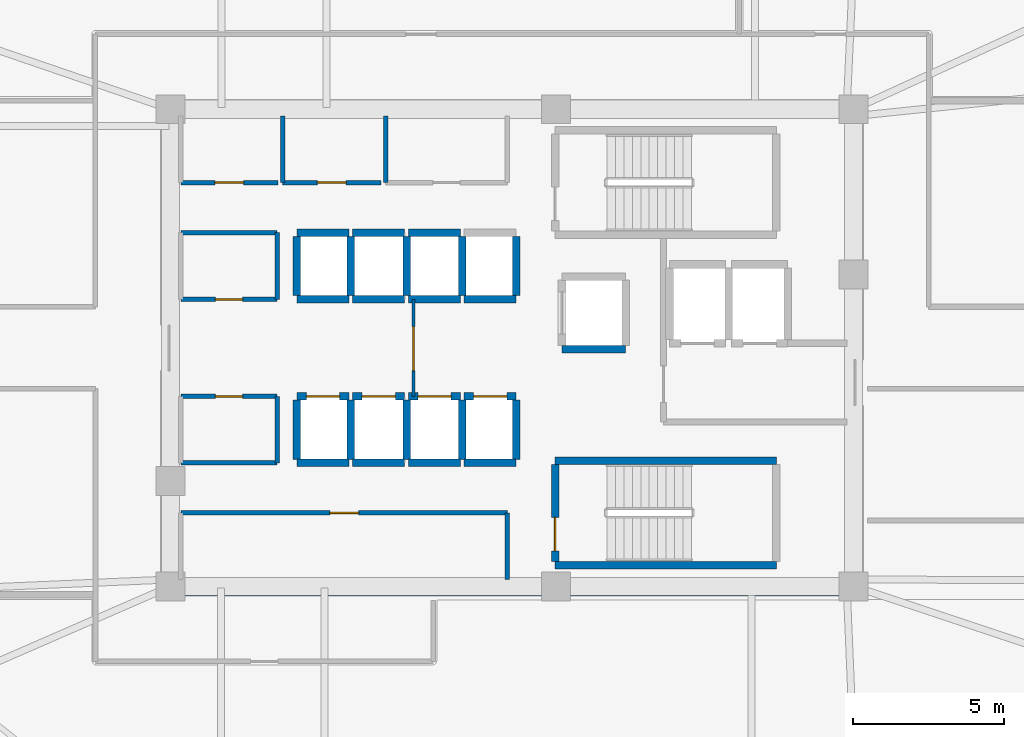
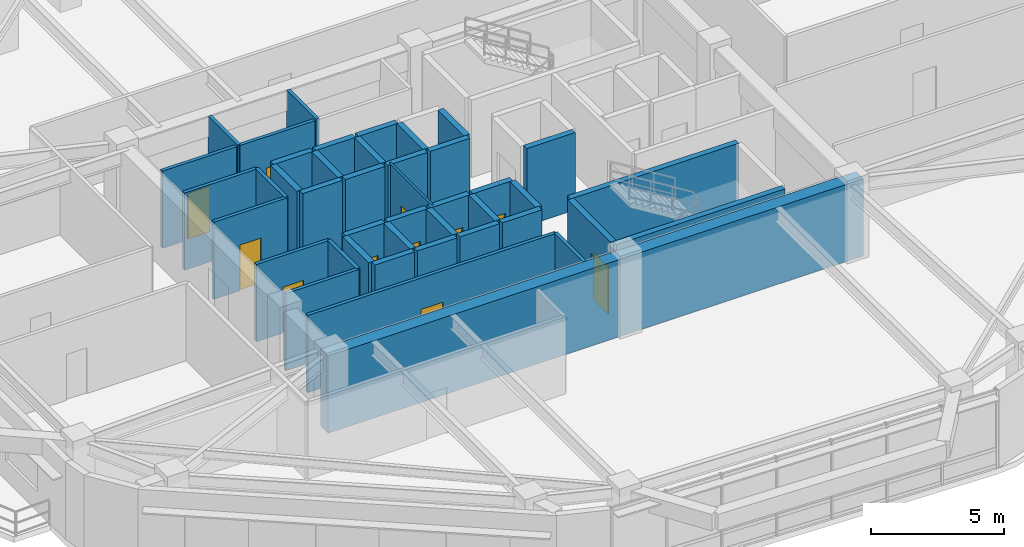
# One storey, part 8 of 12: 43 walls, 11 doors, 11 openings.
"""IFC4 building model written with IfcOpenShell, lengths in metres."""

from ifc_helpers import new_model, si_unit, direction, frame, frame_2d, origin, place, context, subcontext, project, spatial, rectangle, extrude, material, layer, layer_set, type_object, element, fill, save


model = new_model("IFC4")

# Units and contexts
model_context = context("Model", 3, precision=1e-05, world=origin(), true_north=direction((0.0, 1.0)))
body_context = subcontext(model_context, "Body", "Model", "MODEL_VIEW")
ifc_project = project(units=[si_unit("LENGTHUNIT", "METRE"), si_unit("AREAUNIT", "SQUARE_METRE"), si_unit("VOLUMEUNIT", "CUBIC_METRE"), si_unit("PLANEANGLEUNIT", "RADIAN"), si_unit("MASSUNIT", "GRAM", prefix="KILO")], contexts=[model_context])

# Site, building, storey
site_placement = place(None, origin())
site = spatial("IfcSite", under=ifc_project, at=site_placement, CompositionType="ELEMENT")
building_placement = place(site_placement, origin())
building = spatial("IfcBuilding", under=site, at=building_placement, Name="Zulverin Broadcast Headquarters", CompositionType="ELEMENT")
storey_placement = place(building_placement, frame((0.0, 0.0, 185.800048828125)))
storey = spatial("IfcBuildingStorey", under=building, at=storey_placement, Name="L47", CompositionType="ELEMENT", Elevation=185.800048828125)

# Wall
ifc_material_1 = material(Name="Concrete C60/75", Category="concrete")
ifc_layer_1 = layer(ifc_material_1, 0.550048828125, Name="Concrete C60/75", Category="concrete")
ifc_layer_set_1 = layer_set([ifc_layer_1], Name="Concrete C60/75")
wall_type_1 = type_object("IfcWallType", Name="WL-CORE-550", PredefinedType="SHEAR", material=ifc_layer_set_1)
wall_1_placement = place(storey_placement, frame((25.39990234375, 17.27490234375, 0.0), z_axis=(0.0, 0.0, 1.0), x_axis=(1.0, 0.0, 0.0)))
element("IfcWall", 1, at=wall_1_placement, inside=storey, type_object=wall_type_1, Name="L47 Core South Shear Wall", PredefinedType="SHEAR", context=body_context, shape_type="SweptSolid", body=[
    extrude(rectangle(XDim=23.2001953125, YDim=0.550048828125, at=frame_2d((11.60009765625, 0.0))), origin(), (0.0, 0.0, 1.0), 3.5400390625),
])

# Wall, opening, door
ifc_material_2 = material(Name="Fire-rated acoustic laminated glass screen", Category="glass")
ifc_layer_2 = layer(ifc_material_2, 0.10009765625, Name="Fire-rated acoustic laminated glass screen", Category="glass")
ifc_layer_set_2 = layer_set([ifc_layer_2], Name="Fire-rated acoustic laminated glass screen")
wall_type_2 = type_object("IfcWallType", Name="WL-GLAZ-100", PredefinedType="PARTITIONING", material=ifc_layer_set_2)
wall_2_placement = place(storey_placement, frame((33.75, 23.60009765625, 0.0), z_axis=(0.0, 0.0, 1.0), x_axis=(0.0, 1.0, 0.0)))
wall_2 = element("IfcWall", 2, at=wall_2_placement, inside=storey, type_object=wall_type_2, Name="L47 Core Lobby Acoustic Screen", PredefinedType="PARTITIONING", context=body_context, shape_type="SweptSolid", body=[
    extrude(rectangle(XDim=3.199951171875, YDim=0.10009765625, at=frame_2d((1.60009765625, 0.0))), origin(), (0.0, 0.0, 1.0), 3.5400390625),
])
opening_1_placement = place(wall_2_placement, frame((0.85009765625, 0.0, 0.0)))
opening_1 = element("IfcOpeningElement", 3, at=opening_1_placement, cuts=wall_2, Name="Opening D-L47-CL1", PredefinedType="OPENING", context=body_context, shape_type="SweptSolid", body=[
    extrude(rectangle(XDim=1.449951171875, YDim=2.1201171875, at=frame_2d((0.72509765625, 1.06005859375))), frame((0.0, 0.06005859375, 0.0), z_axis=(0.0, -1.0, 0.0), x_axis=(1.0, 0.0, 0.0)), (0.0, 0.0, 1.0), 0.1201171875),
])
ifc_material_3 = material(Name="Fire-rated acoustic glazed double leaf", Category="glass")
door_type_1 = type_object("IfcDoorType", Name="DR-GLZ-1450", OperationType="DOUBLE_DOOR_SINGLE_SWING", PredefinedType="DOOR", material=ifc_material_3)
door_1_placement = place(opening_1_placement, origin())
door_1 = element("IfcDoor", 4, at=door_1_placement, inside=storey, type_object=door_type_1, Name="L47 Core Lobby Vestibule Door", OperationType="DOUBLE_DOOR_SINGLE_SWING", OverallHeight=2.1201171875, OverallWidth=1.449951171875, PredefinedType="DOOR", context=body_context, shape_type="SweptSolid", body=[
    extrude(rectangle(XDim=1.449951171875, YDim=2.1201171875, at=frame_2d((0.72509765625, 1.06005859375))), frame((0.0, 0.02490234375, 0.0), z_axis=(0.0, -1.0, 0.0), x_axis=(1.0, 0.0, 0.0)), (0.0, 0.0, 1.0), 0.050048828125),
])
fill(opening_1, door_1)

ifc_material_4 = material(Name="Fire-rated gypsum stud partition", Category="gypsum")
ifc_layer_3 = layer(ifc_material_4, 0.14990234375, Name="Fire-rated gypsum stud partition", Category="gypsum")
ifc_layer_set_3 = layer_set([ifc_layer_3], Name="Fire-rated gypsum stud partition")
wall_type_3 = type_object("IfcWallType", Name="WL-PART-150", PredefinedType="PARTITIONING", material=ifc_layer_set_3)
wall_3_placement = place(storey_placement, frame((26.070068359375, 30.64990234375, 0.0), z_axis=(0.0, 0.0, 1.0), x_axis=(1.0, 0.0, 0.0)))
wall_3 = element("IfcWall", 5, at=wall_3_placement, inside=storey, type_object=wall_type_3, Name="L47 Core Accessible WC Front Wall", PredefinedType="PARTITIONING", context=body_context, shape_type="SweptSolid", body=[
    extrude(rectangle(XDim=3.199951171875, YDim=0.14990234375, at=frame_2d((1.60009765625, 0.0))), origin(), (0.0, 0.0, 1.0), 3.5400390625),
])
opening_2_placement = place(wall_3_placement, frame((1.125, 0.0, 0.0)))
opening_2 = element("IfcOpeningElement", 6, at=opening_2_placement, cuts=wall_3, Name="Opening D-L47-NC1", PredefinedType="OPENING", context=body_context, shape_type="SweptSolid", body=[
    extrude(rectangle(XDim=0.949951171875, YDim=2.10009765625, at=frame_2d((0.47509765625, 1.050048828125))), frame((0.0, 0.0849609375, 0.0), z_axis=(0.0, -1.0, 0.0), x_axis=(1.0, 0.0, 0.0)), (0.0, 0.0, 1.0), 0.169921875),
])
ifc_material_5 = material(Name="Fire-rated moisture-resistant laminate leaf", Category="wood")
door_type_2 = type_object("IfcDoorType", Name="DR-WC-950", OperationType="SINGLE_SWING_LEFT", PredefinedType="DOOR", material=ifc_material_5)
door_2_placement = place(opening_2_placement, origin())
door_2 = element("IfcDoor", 7, at=door_2_placement, inside=storey, type_object=door_type_2, Name="L47 Accessible WC Door", OperationType="SINGLE_SWING_LEFT", OverallHeight=2.10009765625, OverallWidth=0.949951171875, PredefinedType="DOOR", context=body_context, shape_type="SweptSolid", body=[
    extrude(rectangle(XDim=0.949951171875, YDim=2.10009765625, at=frame_2d((0.47509765625, 1.050048828125))), frame((0.0, 0.02490234375, 0.0), z_axis=(0.0, -1.0, 0.0), x_axis=(1.0, 0.0, 0.0)), (0.0, 0.0, 1.0), 0.050048828125),
])
fill(opening_2, door_2)

wall_4_placement = place(storey_placement, frame((29.429931640625, 30.64990234375, 0.0), z_axis=(0.0, 0.0, 1.0), x_axis=(1.0, 0.0, 0.0)))
wall_4 = element("IfcWall", 8, at=wall_4_placement, inside=storey, type_object=wall_type_3, Name="L47 Core Male WC Front Wall", PredefinedType="PARTITIONING", context=body_context, shape_type="SweptSolid", body=[
    extrude(rectangle(XDim=3.239990234375, YDim=0.14990234375, at=frame_2d((1.6201171875, 0.0))), origin(), (0.0, 0.0, 1.0), 3.5400390625),
])
opening_3_placement = place(wall_4_placement, frame((1.14501953125, 0.0, 0.0)))
opening_3 = element("IfcOpeningElement", 9, at=opening_3_placement, cuts=wall_4, Name="Opening D-L47-NC2", PredefinedType="OPENING", context=body_context, shape_type="SweptSolid", body=[
    extrude(rectangle(XDim=0.949951171875, YDim=2.10009765625, at=frame_2d((0.47509765625, 1.050048828125))), frame((0.0, 0.0849609375, 0.0), z_axis=(0.0, -1.0, 0.0), x_axis=(1.0, 0.0, 0.0)), (0.0, 0.0, 1.0), 0.169921875),
])
door_3_placement = place(opening_3_placement, origin())
door_3 = element("IfcDoor", 10, at=door_3_placement, inside=storey, type_object=door_type_2, Name="L47 Male WC Door", OperationType="SINGLE_SWING_RIGHT", OverallHeight=2.10009765625, OverallWidth=0.949951171875, PredefinedType="DOOR", context=body_context, shape_type="SweptSolid", body=[
    extrude(rectangle(XDim=0.949951171875, YDim=2.10009765625, at=frame_2d((0.47509765625, 1.050048828125))), frame((0.0, 0.02490234375, 0.0), z_axis=(0.0, -1.0, 0.0), x_axis=(1.0, 0.0, 0.0)), (0.0, 0.0, 1.0), 0.050048828125),
])
fill(opening_3, door_3)

# Walls
for number, where, z_axis, x_axis, name in (
    (11, (29.429931640625, 30.64990234375, 0.0), (0.0, 0.0, 1.0), (0.0, 1.0, 0.0), "L47 Core Male WC West Wall"),
    (12, (32.830078125, 30.64990234375, 0.0), (0.0, 0.0, 1.0), (0.0, 1.0, 0.0), "L47 Core Electrical Switch Riser West Wall"),
):
    element("IfcWall", number, at=place(storey_placement, frame(where, z_axis=z_axis, x_axis=x_axis)), inside=storey, type_object=wall_type_3, Name=name, PredefinedType="PARTITIONING", context=body_context, shape_type="SweptSolid", body=[
        extrude(rectangle(XDim=2.2001953125, YDim=0.14990234375, at=frame_2d((1.10009765625, 0.0))), origin(), (0.0, 0.0, 1.0), 3.5400390625),
    ])

# Wall, opening, door
wall_5_placement = place(storey_placement, frame((26.070068359375, 19.75, 0.0), z_axis=(0.0, 0.0, 1.0), x_axis=(1.0, 0.0, 0.0)))
wall_5 = element("IfcWall", 13, at=wall_5_placement, inside=storey, type_object=wall_type_3, Name="L47 Core Female WC & Facilities Room Front Wall", PredefinedType="PARTITIONING", context=body_context, shape_type="SweptSolid", body=[
    extrude(rectangle(XDim=10.780029296875, YDim=0.14990234375, at=frame_2d((5.39013671875, 0.0))), origin(), (0.0, 0.0, 1.0), 3.5400390625),
])
opening_4_placement = place(wall_5_placement, frame((4.9150390625, 0.0, 0.0)))
opening_4 = element("IfcOpeningElement", 14, at=opening_4_placement, cuts=wall_5, Name="Opening D-L47-SC1", PredefinedType="OPENING", context=body_context, shape_type="SweptSolid", body=[
    extrude(rectangle(XDim=0.949951171875, YDim=2.10009765625, at=frame_2d((0.47509765625, 1.050048828125))), frame((0.0, 0.0849609375, 0.0), z_axis=(0.0, -1.0, 0.0), x_axis=(1.0, 0.0, 0.0)), (0.0, 0.0, 1.0), 0.169921875),
])
door_4_placement = place(opening_4_placement, origin())
door_4 = element("IfcDoor", 15, at=door_4_placement, inside=storey, type_object=door_type_2, Name="L47 Female WC & Facilities Room Door", OperationType="SINGLE_SWING_RIGHT", OverallHeight=2.10009765625, OverallWidth=0.949951171875, PredefinedType="DOOR", context=body_context, shape_type="SweptSolid", body=[
    extrude(rectangle(XDim=0.949951171875, YDim=2.10009765625, at=frame_2d((0.47509765625, 1.050048828125))), frame((0.0, 0.02490234375, 0.0), z_axis=(0.0, -1.0, 0.0), x_axis=(1.0, 0.0, 0.0)), (0.0, 0.0, 1.0), 0.050048828125),
])
fill(opening_4, door_4)

# Wall
wall_6_placement = place(storey_placement, frame((36.85009765625, 17.550048828125, 0.0), z_axis=(0.0, 0.0, 1.0), x_axis=(0.0, 1.0, 0.0)))
element("IfcWall", 16, at=wall_6_placement, inside=storey, type_object=wall_type_3, Name="L47 Core Female WC & Facilities Room East Wall", PredefinedType="PARTITIONING", context=body_context, shape_type="SweptSolid", body=[
    extrude(rectangle(XDim=2.199951171875, YDim=0.14990234375, at=frame_2d((1.10009765625, 0.0))), origin(), (0.0, 0.0, 1.0), 3.5400390625),
])

# Wall, opening, door
wall_7_placement = place(storey_placement, frame((26.070068359375, 26.800048828125, 0.0), z_axis=(0.0, 0.0, 1.0), x_axis=(1.0, 0.0, 0.0)))
wall_7 = element("IfcWall", 17, at=wall_7_placement, inside=storey, type_object=wall_type_3, Name="L47 Core UPS Battery Store S Wall", PredefinedType="PARTITIONING", context=body_context, shape_type="SweptSolid", body=[
    extrude(rectangle(XDim=3.179931640625, YDim=0.14990234375, at=frame_2d((1.58984375, 0.0))), origin(), (0.0, 0.0, 1.0), 3.5400390625),
])
opening_5_placement = place(wall_7_placement, frame((1.139892578125, 0.0, 0.0)))
opening_5 = element("IfcOpeningElement", 18, at=opening_5_placement, cuts=wall_7, Name="Opening D-L47-RCLN", PredefinedType="OPENING", context=body_context, shape_type="SweptSolid", body=[
    extrude(rectangle(XDim=0.89990234375, YDim=2.10009765625, at=frame_2d((0.449951171875, 1.050048828125))), frame((0.0, 0.0849609375, 0.0), z_axis=(0.0, -1.0, 0.0), x_axis=(1.0, 0.0, 0.0)), (0.0, 0.0, 1.0), 0.169921875),
])
ifc_material_6 = material(Name="Powder-coated steel access leaf", Category="steel")
door_type_3 = type_object("IfcDoorType", Name="DR-RISER-900", OperationType="SINGLE_SWING_LEFT", PredefinedType="DOOR", material=ifc_material_6)
door_5_placement = place(opening_5_placement, origin())
door_5 = element("IfcDoor", 19, at=door_5_placement, inside=storey, type_object=door_type_3, Name="L47 Core UPS Battery Store Door", OperationType="SINGLE_SWING_LEFT", OverallHeight=2.10009765625, OverallWidth=0.89990234375, PredefinedType="DOOR", context=body_context, shape_type="SweptSolid", body=[
    extrude(rectangle(XDim=0.89990234375, YDim=2.10009765625, at=frame_2d((0.449951171875, 1.050048828125))), frame((0.0, 0.02490234375, 0.0), z_axis=(0.0, -1.0, 0.0), x_axis=(1.0, 0.0, 0.0)), (0.0, 0.0, 1.0), 0.050048828125),
])
fill(opening_5, door_5)

# Walls
wall_8_placement = place(storey_placement, frame((26.070068359375, 29.0, 0.0), z_axis=(0.0, 0.0, 1.0), x_axis=(1.0, 0.0, 0.0)))
element("IfcWall", 20, at=wall_8_placement, inside=storey, type_object=wall_type_3, Name="L47 Core UPS Battery Store N Wall", PredefinedType="PARTITIONING", context=body_context, shape_type="SweptSolid", body=[
    extrude(rectangle(XDim=3.179931640625, YDim=0.14990234375, at=frame_2d((1.58984375, 0.0))), origin(), (0.0, 0.0, 1.0), 3.5400390625),
])
wall_9_placement = place(storey_placement, frame((29.25, 26.800048828125, 0.0), z_axis=(0.0, 0.0, 1.0), x_axis=(0.0, 1.0, 0.0)))
element("IfcWall", 21, at=wall_9_placement, inside=storey, type_object=wall_type_3, Name="L47 Core UPS Battery Store E Wall", PredefinedType="PARTITIONING", context=body_context, shape_type="SweptSolid", body=[
    extrude(rectangle(XDim=2.199951171875, YDim=0.14990234375, at=frame_2d((1.10009765625, 0.0))), origin(), (0.0, 0.0, 1.0), 3.5400390625),
])
wall_10_placement = place(storey_placement, frame((26.070068359375, 21.39990234375, 0.0), z_axis=(0.0, 0.0, 1.0), x_axis=(1.0, 0.0, 0.0)))
element("IfcWall", 22, at=wall_10_placement, inside=storey, type_object=wall_type_3, Name="L47 Media Ingestion Server Room S Wall", PredefinedType="PARTITIONING", context=body_context, shape_type="SweptSolid", body=[
    extrude(rectangle(XDim=3.179931640625, YDim=0.14990234375, at=frame_2d((1.58984375, 0.0))), origin(), (0.0, 0.0, 1.0), 3.5400390625),
])

# Wall, opening, door
wall_11_placement = place(storey_placement, frame((26.070068359375, 23.60009765625, 0.0), z_axis=(0.0, 0.0, 1.0), x_axis=(1.0, 0.0, 0.0)))
wall_11 = element("IfcWall", 23, at=wall_11_placement, inside=storey, type_object=wall_type_3, Name="L47 Media Ingestion Server Room N Wall", PredefinedType="PARTITIONING", context=body_context, shape_type="SweptSolid", body=[
    extrude(rectangle(XDim=3.179931640625, YDim=0.14990234375, at=frame_2d((1.58984375, 0.0))), origin(), (0.0, 0.0, 1.0), 3.5400390625),
])
opening_6_placement = place(wall_11_placement, frame((1.139892578125, 0.0, 0.0)))
opening_6 = element("IfcOpeningElement", 24, at=opening_6_placement, cuts=wall_11, Name="Opening D-L47-RCLS", PredefinedType="OPENING", context=body_context, shape_type="SweptSolid", body=[
    extrude(rectangle(XDim=0.89990234375, YDim=2.10009765625, at=frame_2d((0.449951171875, 1.050048828125))), frame((0.0, 0.0849609375, 0.0), z_axis=(0.0, -1.0, 0.0), x_axis=(1.0, 0.0, 0.0)), (0.0, 0.0, 1.0), 0.169921875),
])
door_6_placement = place(opening_6_placement, origin())
door_6 = element("IfcDoor", 25, at=door_6_placement, inside=storey, type_object=door_type_3, Name="L47 Media Ingestion Server Room Door", OperationType="SINGLE_SWING_RIGHT", OverallHeight=2.10009765625, OverallWidth=0.89990234375, PredefinedType="DOOR", context=body_context, shape_type="SweptSolid", body=[
    extrude(rectangle(XDim=0.89990234375, YDim=2.10009765625, at=frame_2d((0.449951171875, 1.050048828125))), frame((0.0, 0.02490234375, 0.0), z_axis=(0.0, -1.0, 0.0), x_axis=(1.0, 0.0, 0.0)), (0.0, 0.0, 1.0), 0.050048828125),
])
fill(opening_6, door_6)

# Walls
wall_12_placement = place(storey_placement, frame((29.25, 21.39990234375, 0.0), z_axis=(0.0, 0.0, 1.0), x_axis=(0.0, 1.0, 0.0)))
element("IfcWall", 26, at=wall_12_placement, inside=storey, type_object=wall_type_3, Name="L47 Media Ingestion Server Room E Wall", PredefinedType="PARTITIONING", context=body_context, shape_type="SweptSolid", body=[
    extrude(rectangle(XDim=2.2001953125, YDim=0.14990234375, at=frame_2d((1.10009765625, 0.0))), origin(), (0.0, 0.0, 1.0), 3.5400390625),
])
ifc_material_7 = material(Name="Concrete C50/60", Category="concrete")
ifc_layer_4 = layer(ifc_material_7, 0.25, Name="Concrete C50/60", Category="concrete")
ifc_layer_set_4 = layer_set([ifc_layer_4], Name="Concrete C50/60")
wall_type_4 = type_object("IfcWallType", Name="WL-SHAFT-250", PredefinedType="SHEAR", material=ifc_layer_set_4)
for number, where, z_axis, x_axis, name in (
    (27, (38.425048828125, 18.02490234375, 0.0), (0.0, 0.0, 1.0), (1.0, 0.0, 0.0), "L47 ST-2 Enclosure Wall S"),
    (28, (38.425048828125, 21.47509765625, 0.0), (0.0, 0.0, 1.0), (1.0, 0.0, 0.0), "L47 ST-2 Enclosure Wall N"),
):
    element("IfcWall", number, at=place(storey_placement, frame(where, z_axis=z_axis, x_axis=x_axis)), inside=storey, type_object=wall_type_4, Name=name, PredefinedType="SHEAR", context=body_context, shape_type="SweptSolid", body=[
        extrude(rectangle(XDim=7.300048828125, YDim=0.25, at=frame_2d((3.64990234375, 0.0))), origin(), (0.0, 0.0, 1.0), 3.5400390625),
    ])

# Wall, opening, door
wall_13_placement = place(storey_placement, frame((38.425048828125, 18.14990234375, 0.0), z_axis=(0.0, 0.0, 1.0), x_axis=(0.0, 1.0, 0.0)))
wall_13 = element("IfcWall", 29, at=wall_13_placement, inside=storey, type_object=wall_type_4, Name="L47 ST-2 Enclosure Wall W", PredefinedType="SHEAR", context=body_context, shape_type="SweptSolid", body=[
    extrude(rectangle(XDim=3.2001953125, YDim=0.25, at=frame_2d((1.60009765625, 0.0))), origin(), (0.0, 0.0, 1.0), 3.5400390625),
])
opening_7_placement = place(wall_13_placement, frame((0.35009765625, 0.0, 0.0)))
opening_7 = element("IfcOpeningElement", 30, at=opening_7_placement, cuts=wall_13, Name="Opening D-L47-ST-2", PredefinedType="OPENING", context=body_context, shape_type="SweptSolid", body=[
    extrude(rectangle(XDim=1.10009765625, YDim=2.14990234375, at=frame_2d((0.550048828125, 1.074951171875))), frame((0.0, 0.135009765625, 0.0), z_axis=(0.0, -1.0, 0.0), x_axis=(1.0, 0.0, 0.0)), (0.0, 0.0, 1.0), 0.27001953125),
])
ifc_material_8 = material(Name="Fire-rated steel leaf and frame", Category="steel")
door_type_4 = type_object("IfcDoorType", Name="DR-STAIR-1100", OperationType="SINGLE_SWING_LEFT", PredefinedType="DOOR", material=ifc_material_8)
door_7_placement = place(opening_7_placement, origin())
door_7 = element("IfcDoor", 31, at=door_7_placement, inside=storey, type_object=door_type_4, Name="L47 Exit Stair ST-2 Fire Door", OperationType="SINGLE_SWING_RIGHT", OverallHeight=2.14990234375, OverallWidth=1.10009765625, PredefinedType="DOOR", context=body_context, shape_type="SweptSolid", body=[
    extrude(rectangle(XDim=1.10009765625, YDim=2.14990234375, at=frame_2d((0.550048828125, 1.074951171875))), frame((0.0, 0.02490234375, 0.0), z_axis=(0.0, -1.0, 0.0), x_axis=(1.0, 0.0, 0.0)), (0.0, 0.0, 1.0), 0.050048828125),
])
fill(opening_7, door_7)

# Wall
wall_14_placement = place(storey_placement, frame((29.89990234375, 21.39990234375, 0.0), z_axis=(0.0, 0.0, 1.0), x_axis=(1.0, 0.0, 0.0)))
element("IfcWall", 32, at=wall_14_placement, inside=storey, type_object=wall_type_4, Name="L47 Lift PL-M1 Shaft Wall S", PredefinedType="SHEAR", context=body_context, shape_type="SweptSolid", body=[
    extrude(rectangle(XDim=1.72021484375, YDim=0.25, at=frame_2d((0.860107421875, 0.0))), origin(), (0.0, 0.0, 1.0), 3.5400390625),
])

# Wall, opening, door
wall_15_placement = place(storey_placement, frame((29.89990234375, 23.60009765625, 0.0), z_axis=(0.0, 0.0, 1.0), x_axis=(1.0, 0.0, 0.0)))
wall_15 = element("IfcWall", 33, at=wall_15_placement, inside=storey, type_object=wall_type_4, Name="L47 Lift PL-M1 Shaft Wall N", PredefinedType="SHEAR", context=body_context, shape_type="SweptSolid", body=[
    extrude(rectangle(XDim=1.72021484375, YDim=0.25, at=frame_2d((0.860107421875, 0.0))), origin(), (0.0, 0.0, 1.0), 3.5400390625),
])
opening_8_placement = place(wall_15_placement, frame((0.31005859375, 0.0, 0.0)))
opening_8 = element("IfcOpeningElement", 34, at=opening_8_placement, cuts=wall_15, Name="Opening LD-PL-M1-L47", PredefinedType="OPENING", context=body_context, shape_type="SweptSolid", body=[
    extrude(rectangle(XDim=1.10009765625, YDim=2.14990234375, at=frame_2d((0.550048828125, 1.074951171875))), frame((0.0, 0.135009765625, 0.0), z_axis=(0.0, -1.0, 0.0), x_axis=(1.0, 0.0, 0.0)), (0.0, 0.0, 1.0), 0.27001953125),
])
ifc_material_9 = material(Name="Brushed stainless steel landing", Category="steel")
door_type_5 = type_object("IfcDoorType", Name="LD-PASS-1100", OperationType="DOUBLE_DOOR_SLIDING", PredefinedType="DOOR", material=ifc_material_9)
door_8_placement = place(opening_8_placement, origin())
door_8 = element("IfcDoor", 35, at=door_8_placement, inside=storey, type_object=door_type_5, Name="L47 Lift PL-M1 Sliding Landing Door", OperationType="DOUBLE_DOOR_SLIDING", OverallHeight=2.14990234375, OverallWidth=1.10009765625, PredefinedType="DOOR", context=body_context, shape_type="SweptSolid", body=[
    extrude(rectangle(XDim=1.10009765625, YDim=2.14990234375, at=frame_2d((0.550048828125, 1.074951171875))), frame((0.0, 0.02490234375, 0.0), z_axis=(0.0, -1.0, 0.0), x_axis=(1.0, 0.0, 0.0)), (0.0, 0.0, 1.0), 0.050048828125),
])
fill(opening_8, door_8)

# Walls
for number, where, z_axis, x_axis, name in (
    (36, (29.89990234375, 21.52001953125, 0.0), (0.0, 0.0, 1.0), (0.0, 1.0, 0.0), "L47 Lift PL-M1 Shaft Wall W"),
    (37, (31.679931640625, 21.52001953125, 0.0), (0.0, 0.0, 1.0), (0.0, 1.0, 0.0), "L47 Lift PL-M1 Shaft Wall E"),
):
    element("IfcWall", number, at=place(storey_placement, frame(where, z_axis=z_axis, x_axis=x_axis)), inside=storey, type_object=wall_type_4, Name=name, PredefinedType="SHEAR", context=body_context, shape_type="SweptSolid", body=[
        extrude(rectangle(XDim=1.9599609375, YDim=0.25, at=frame_2d((0.97998046875, 0.0))), origin(), (0.0, 0.0, 1.0), 3.5400390625),
    ])
wall_16_placement = place(storey_placement, frame((31.739990234375, 21.39990234375, 0.0), z_axis=(0.0, 0.0, 1.0), x_axis=(1.0, 0.0, 0.0)))
element("IfcWall", 38, at=wall_16_placement, inside=storey, type_object=wall_type_4, Name="L47 Lift PL-M2 Shaft Wall S", PredefinedType="SHEAR", context=body_context, shape_type="SweptSolid", body=[
    extrude(rectangle(XDim=1.719970703125, YDim=0.25, at=frame_2d((0.85986328125, 0.0))), origin(), (0.0, 0.0, 1.0), 3.5400390625),
])

# Wall, opening, door
wall_17_placement = place(storey_placement, frame((31.739990234375, 23.60009765625, 0.0), z_axis=(0.0, 0.0, 1.0), x_axis=(1.0, 0.0, 0.0)))
wall_17 = element("IfcWall", 39, at=wall_17_placement, inside=storey, type_object=wall_type_4, Name="L47 Lift PL-M2 Shaft Wall N", PredefinedType="SHEAR", context=body_context, shape_type="SweptSolid", body=[
    extrude(rectangle(XDim=1.719970703125, YDim=0.25, at=frame_2d((0.85986328125, 0.0))), origin(), (0.0, 0.0, 1.0), 3.5400390625),
])
opening_9_placement = place(wall_17_placement, frame((0.31005859375, 0.0, 0.0)))
opening_9 = element("IfcOpeningElement", 40, at=opening_9_placement, cuts=wall_17, Name="Opening LD-PL-M2-L47", PredefinedType="OPENING", context=body_context, shape_type="SweptSolid", body=[
    extrude(rectangle(XDim=1.10009765625, YDim=2.14990234375, at=frame_2d((0.550048828125, 1.074951171875))), frame((0.0, 0.135009765625, 0.0), z_axis=(0.0, -1.0, 0.0), x_axis=(1.0, 0.0, 0.0)), (0.0, 0.0, 1.0), 0.27001953125),
])
door_9_placement = place(opening_9_placement, origin())
door_9 = element("IfcDoor", 41, at=door_9_placement, inside=storey, type_object=door_type_5, Name="L47 Lift PL-M2 Sliding Landing Door", OperationType="DOUBLE_DOOR_SLIDING", OverallHeight=2.14990234375, OverallWidth=1.10009765625, PredefinedType="DOOR", context=body_context, shape_type="SweptSolid", body=[
    extrude(rectangle(XDim=1.10009765625, YDim=2.14990234375, at=frame_2d((0.550048828125, 1.074951171875))), frame((0.0, 0.02490234375, 0.0), z_axis=(0.0, -1.0, 0.0), x_axis=(1.0, 0.0, 0.0)), (0.0, 0.0, 1.0), 0.050048828125),
])
fill(opening_9, door_9)

# Walls
wall_18_placement = place(storey_placement, frame((33.52001953125, 21.52001953125, 0.0), z_axis=(0.0, 0.0, 1.0), x_axis=(0.0, 1.0, 0.0)))
element("IfcWall", 42, at=wall_18_placement, inside=storey, type_object=wall_type_4, Name="L47 Lift PL-M2 Shaft Wall E", PredefinedType="SHEAR", context=body_context, shape_type="SweptSolid", body=[
    extrude(rectangle(XDim=1.9599609375, YDim=0.25, at=frame_2d((0.97998046875, 0.0))), origin(), (0.0, 0.0, 1.0), 3.5400390625),
])
wall_19_placement = place(storey_placement, frame((33.580078125, 21.39990234375, 0.0), z_axis=(0.0, 0.0, 1.0), x_axis=(1.0, 0.0, 0.0)))
element("IfcWall", 43, at=wall_19_placement, inside=storey, type_object=wall_type_4, Name="L47 Lift PL-M3 Shaft Wall S", PredefinedType="SHEAR", context=body_context, shape_type="SweptSolid", body=[
    extrude(rectangle(XDim=1.719970703125, YDim=0.25, at=frame_2d((0.85986328125, 0.0))), origin(), (0.0, 0.0, 1.0), 3.5400390625),
])

# Wall, opening, door
wall_20_placement = place(storey_placement, frame((33.580078125, 23.60009765625, 0.0), z_axis=(0.0, 0.0, 1.0), x_axis=(1.0, 0.0, 0.0)))
wall_20 = element("IfcWall", 44, at=wall_20_placement, inside=storey, type_object=wall_type_4, Name="L47 Lift PL-M3 Shaft Wall N", PredefinedType="SHEAR", context=body_context, shape_type="SweptSolid", body=[
    extrude(rectangle(XDim=1.719970703125, YDim=0.25, at=frame_2d((0.85986328125, 0.0))), origin(), (0.0, 0.0, 1.0), 3.5400390625),
])
opening_10_placement = place(wall_20_placement, frame((0.31005859375, 0.0, 0.0)))
opening_10 = element("IfcOpeningElement", 45, at=opening_10_placement, cuts=wall_20, Name="Opening LD-PL-M3-L47", PredefinedType="OPENING", context=body_context, shape_type="SweptSolid", body=[
    extrude(rectangle(XDim=1.10009765625, YDim=2.14990234375, at=frame_2d((0.550048828125, 1.074951171875))), frame((0.0, 0.135009765625, 0.0), z_axis=(0.0, -1.0, 0.0), x_axis=(1.0, 0.0, 0.0)), (0.0, 0.0, 1.0), 0.27001953125),
])
door_10_placement = place(opening_10_placement, origin())
door_10 = element("IfcDoor", 46, at=door_10_placement, inside=storey, type_object=door_type_5, Name="L47 Lift PL-M3 Sliding Landing Door", OperationType="DOUBLE_DOOR_SLIDING", OverallHeight=2.14990234375, OverallWidth=1.10009765625, PredefinedType="DOOR", context=body_context, shape_type="SweptSolid", body=[
    extrude(rectangle(XDim=1.10009765625, YDim=2.14990234375, at=frame_2d((0.550048828125, 1.074951171875))), frame((0.0, 0.02490234375, 0.0), z_axis=(0.0, -1.0, 0.0), x_axis=(1.0, 0.0, 0.0)), (0.0, 0.0, 1.0), 0.050048828125),
])
fill(opening_10, door_10)

# Walls
wall_21_placement = place(storey_placement, frame((35.360107421875, 21.52001953125, 0.0), z_axis=(0.0, 0.0, 1.0), x_axis=(0.0, 1.0, 0.0)))
element("IfcWall", 47, at=wall_21_placement, inside=storey, type_object=wall_type_4, Name="L47 Lift PL-M3 Shaft Wall E", PredefinedType="SHEAR", context=body_context, shape_type="SweptSolid", body=[
    extrude(rectangle(XDim=1.9599609375, YDim=0.25, at=frame_2d((0.97998046875, 0.0))), origin(), (0.0, 0.0, 1.0), 3.5400390625),
])
wall_22_placement = place(storey_placement, frame((35.419921875, 21.39990234375, 0.0), z_axis=(0.0, 0.0, 1.0), x_axis=(1.0, 0.0, 0.0)))
element("IfcWall", 48, at=wall_22_placement, inside=storey, type_object=wall_type_4, Name="L47 Lift PL-M4 Shaft Wall S", PredefinedType="SHEAR", context=body_context, shape_type="SweptSolid", body=[
    extrude(rectangle(XDim=1.719970703125, YDim=0.25, at=frame_2d((0.85986328125, 0.0))), origin(), (0.0, 0.0, 1.0), 3.5400390625),
])

# Wall, opening, door
wall_23_placement = place(storey_placement, frame((35.419921875, 23.60009765625, 0.0), z_axis=(0.0, 0.0, 1.0), x_axis=(1.0, 0.0, 0.0)))
wall_23 = element("IfcWall", 49, at=wall_23_placement, inside=storey, type_object=wall_type_4, Name="L47 Lift PL-M4 Shaft Wall N", PredefinedType="SHEAR", context=body_context, shape_type="SweptSolid", body=[
    extrude(rectangle(XDim=1.719970703125, YDim=0.25, at=frame_2d((0.85986328125, 0.0))), origin(), (0.0, 0.0, 1.0), 3.5400390625),
])
opening_11_placement = place(wall_23_placement, frame((0.31005859375, 0.0, 0.0)))
opening_11 = element("IfcOpeningElement", 50, at=opening_11_placement, cuts=wall_23, Name="Opening LD-PL-M4-L47", PredefinedType="OPENING", context=body_context, shape_type="SweptSolid", body=[
    extrude(rectangle(XDim=1.10009765625, YDim=2.14990234375, at=frame_2d((0.550048828125, 1.074951171875))), frame((0.0, 0.135009765625, 0.0), z_axis=(0.0, -1.0, 0.0), x_axis=(1.0, 0.0, 0.0)), (0.0, 0.0, 1.0), 0.27001953125),
])
door_11_placement = place(opening_11_placement, origin())
door_11 = element("IfcDoor", 51, at=door_11_placement, inside=storey, type_object=door_type_5, Name="L47 Lift PL-M4 Sliding Landing Door", OperationType="DOUBLE_DOOR_SLIDING", OverallHeight=2.14990234375, OverallWidth=1.10009765625, PredefinedType="DOOR", context=body_context, shape_type="SweptSolid", body=[
    extrude(rectangle(XDim=1.10009765625, YDim=2.14990234375, at=frame_2d((0.550048828125, 1.074951171875))), frame((0.0, 0.02490234375, 0.0), z_axis=(0.0, -1.0, 0.0), x_axis=(1.0, 0.0, 0.0)), (0.0, 0.0, 1.0), 0.050048828125),
])
fill(opening_11, door_11)

# Walls
wall_24_placement = place(storey_placement, frame((37.139892578125, 21.52001953125, 0.0), z_axis=(0.0, 0.0, 1.0), x_axis=(0.0, 1.0, 0.0)))
element("IfcWall", 52, at=wall_24_placement, inside=storey, type_object=wall_type_4, Name="L47 Lift PL-M4 Shaft Wall E", PredefinedType="SHEAR", context=body_context, shape_type="SweptSolid", body=[
    extrude(rectangle(XDim=1.9599609375, YDim=0.25, at=frame_2d((0.97998046875, 0.0))), origin(), (0.0, 0.0, 1.0), 3.5400390625),
])
for number, where, z_axis, x_axis, name in (
    (53, (29.89990234375, 26.800048828125, 0.0), (0.0, 0.0, 1.0), (1.0, 0.0, 0.0), "L47 Lift PL-H1 Shaft Wall S"),
    (54, (29.89990234375, 29.0, 0.0), (0.0, 0.0, 1.0), (1.0, 0.0, 0.0), "L47 Lift PL-H1 Shaft Wall N"),
):
    element("IfcWall", number, at=place(storey_placement, frame(where, z_axis=z_axis, x_axis=x_axis)), inside=storey, type_object=wall_type_4, Name=name, PredefinedType="SHEAR", context=body_context, shape_type="SweptSolid", body=[
        extrude(rectangle(XDim=1.72021484375, YDim=0.25, at=frame_2d((0.860107421875, 0.0))), origin(), (0.0, 0.0, 1.0), 3.5400390625),
    ])
for number, where, z_axis, x_axis, name in (
    (55, (29.89990234375, 26.919921875, 0.0), (0.0, 0.0, 1.0), (0.0, 1.0, 0.0), "L47 Lift PL-H1 Shaft Wall W"),
    (56, (31.679931640625, 26.919921875, 0.0), (0.0, 0.0, 1.0), (0.0, 1.0, 0.0), "L47 Lift PL-H1 Shaft Wall E"),
):
    element("IfcWall", number, at=place(storey_placement, frame(where, z_axis=z_axis, x_axis=x_axis)), inside=storey, type_object=wall_type_4, Name=name, PredefinedType="SHEAR", context=body_context, shape_type="SweptSolid", body=[
        extrude(rectangle(XDim=1.9599609375, YDim=0.25, at=frame_2d((0.97998046875, 0.0))), origin(), (0.0, 0.0, 1.0), 3.5400390625),
    ])
for number, where, z_axis, x_axis, name in (
    (57, (31.739990234375, 26.800048828125, 0.0), (0.0, 0.0, 1.0), (1.0, 0.0, 0.0), "L47 Lift PL-H2 Shaft Wall S"),
    (58, (31.739990234375, 29.0, 0.0), (0.0, 0.0, 1.0), (1.0, 0.0, 0.0), "L47 Lift PL-H2 Shaft Wall N"),
):
    element("IfcWall", number, at=place(storey_placement, frame(where, z_axis=z_axis, x_axis=x_axis)), inside=storey, type_object=wall_type_4, Name=name, PredefinedType="SHEAR", context=body_context, shape_type="SweptSolid", body=[
        extrude(rectangle(XDim=1.719970703125, YDim=0.25, at=frame_2d((0.85986328125, 0.0))), origin(), (0.0, 0.0, 1.0), 3.5400390625),
    ])
wall_25_placement = place(storey_placement, frame((33.52001953125, 26.919921875, 0.0), z_axis=(0.0, 0.0, 1.0), x_axis=(0.0, 1.0, 0.0)))
element("IfcWall", 59, at=wall_25_placement, inside=storey, type_object=wall_type_4, Name="L47 Lift PL-H2 Shaft Wall E", PredefinedType="SHEAR", context=body_context, shape_type="SweptSolid", body=[
    extrude(rectangle(XDim=1.9599609375, YDim=0.25, at=frame_2d((0.97998046875, 0.0))), origin(), (0.0, 0.0, 1.0), 3.5400390625),
])
for number, where, z_axis, x_axis, name in (
    (60, (33.580078125, 26.800048828125, 0.0), (0.0, 0.0, 1.0), (1.0, 0.0, 0.0), "L47 Lift PL-H3 Shaft Wall S"),
    (61, (33.580078125, 29.0, 0.0), (0.0, 0.0, 1.0), (1.0, 0.0, 0.0), "L47 Lift PL-H3 Shaft Wall N"),
):
    element("IfcWall", number, at=place(storey_placement, frame(where, z_axis=z_axis, x_axis=x_axis)), inside=storey, type_object=wall_type_4, Name=name, PredefinedType="SHEAR", context=body_context, shape_type="SweptSolid", body=[
        extrude(rectangle(XDim=1.719970703125, YDim=0.25, at=frame_2d((0.85986328125, 0.0))), origin(), (0.0, 0.0, 1.0), 3.5400390625),
    ])
wall_26_placement = place(storey_placement, frame((35.360107421875, 26.919921875, 0.0), z_axis=(0.0, 0.0, 1.0), x_axis=(0.0, 1.0, 0.0)))
element("IfcWall", 62, at=wall_26_placement, inside=storey, type_object=wall_type_4, Name="L47 Lift PL-H3 Shaft Wall E", PredefinedType="SHEAR", context=body_context, shape_type="SweptSolid", body=[
    extrude(rectangle(XDim=1.9599609375, YDim=0.25, at=frame_2d((0.97998046875, 0.0))), origin(), (0.0, 0.0, 1.0), 3.5400390625),
])
wall_27_placement = place(storey_placement, frame((35.419921875, 26.800048828125, 0.0), z_axis=(0.0, 0.0, 1.0), x_axis=(1.0, 0.0, 0.0)))
element("IfcWall", 63, at=wall_27_placement, inside=storey, type_object=wall_type_4, Name="L47 Lift PL-H4 Shaft Wall S", PredefinedType="SHEAR", context=body_context, shape_type="SweptSolid", body=[
    extrude(rectangle(XDim=1.719970703125, YDim=0.25, at=frame_2d((0.85986328125, 0.0))), origin(), (0.0, 0.0, 1.0), 3.5400390625),
])
wall_28_placement = place(storey_placement, frame((37.139892578125, 26.919921875, 0.0), z_axis=(0.0, 0.0, 1.0), x_axis=(0.0, 1.0, 0.0)))
element("IfcWall", 64, at=wall_28_placement, inside=storey, type_object=wall_type_4, Name="L47 Lift PL-H4 Shaft Wall E", PredefinedType="SHEAR", context=body_context, shape_type="SweptSolid", body=[
    extrude(rectangle(XDim=1.9599609375, YDim=0.25, at=frame_2d((0.97998046875, 0.0))), origin(), (0.0, 0.0, 1.0), 3.5400390625),
])
wall_29_placement = place(storey_placement, frame((38.64990234375, 25.14990234375, 0.0), z_axis=(0.0, 0.0, 1.0), x_axis=(1.0, 0.0, 0.0)))
element("IfcWall", 65, at=wall_29_placement, inside=storey, type_object=wall_type_4, Name="L47 Lift SVL-1 Shaft Wall S", PredefinedType="SHEAR", context=body_context, shape_type="SweptSolid", body=[
    extrude(rectangle(XDim=2.10009765625, YDim=0.25, at=frame_2d((1.050048828125, 0.0))), origin(), (0.0, 0.0, 1.0), 3.5400390625),
])

save(model, "model.ifc")
